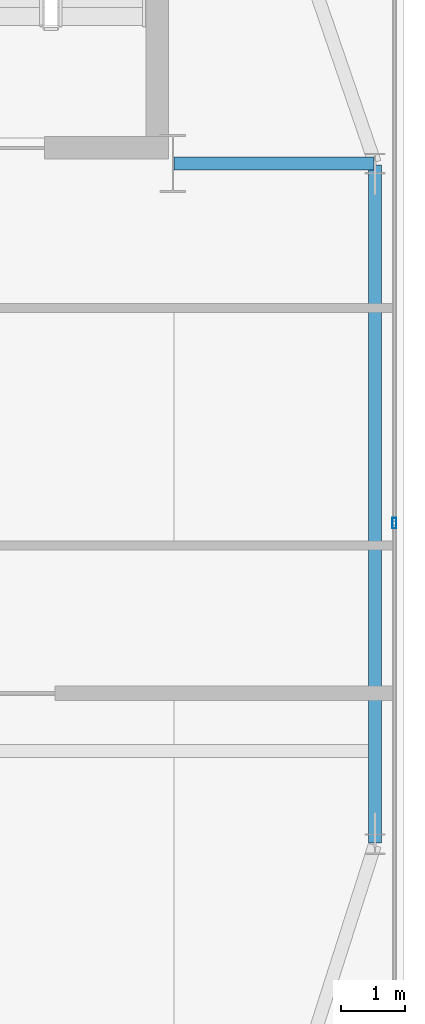
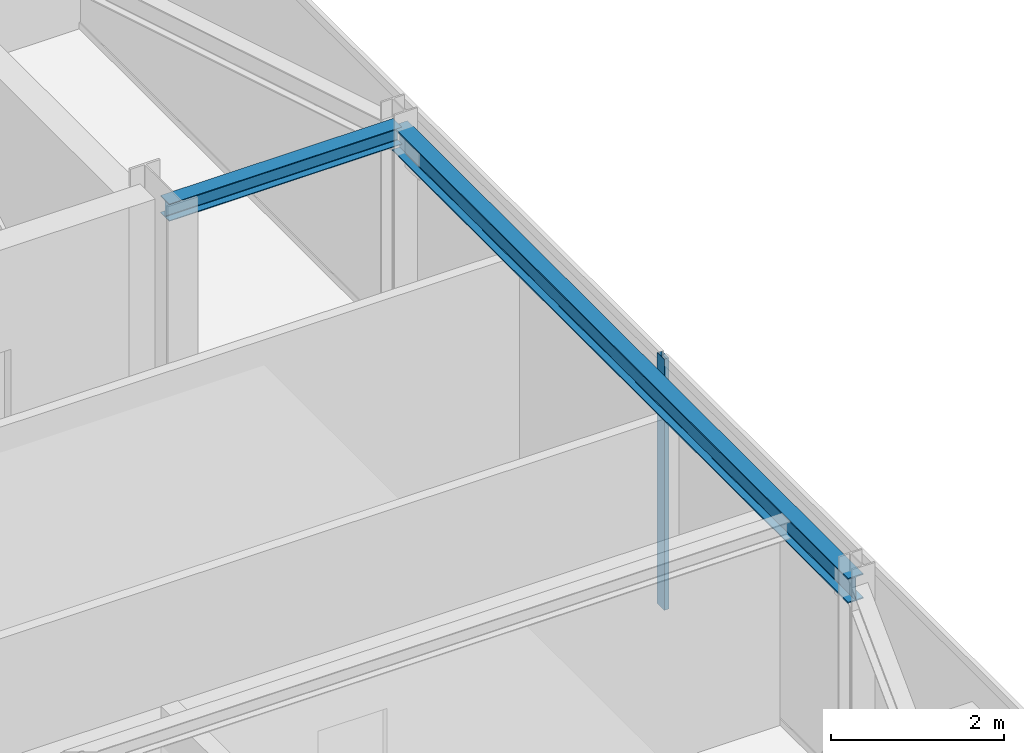
# One storey, part 16 of 24: 2 beams, 1 member, 1 element without a shape of its own.
"""IFC4 building model written with IfcOpenShell, lengths in metres."""

import ifcopenshell
import ifcopenshell.guid

model = None  # the IFC model being written
_history = None  # IfcOwnerHistory: only IFC2X3 demands one
_inside = {}  # id of a spatial element -> (the spatial element, [elements in it])
_under = {}  # id of a project, library or spatial element -> (it, [spatial elements below it])
_declared = {}  # id of a project -> (the project, [libraries it declares])
_typed = {}  # id of a type object -> (the type object, [elements of that type])
_made_of = {}  # id of a material, layer set ... -> (it, [elements and type objects made of it])


def new_model(schema):
    """Start an empty IFC model of exactly this schema.

    Asked for "IFC4X3", IfcOpenShell would pick the latest addendum, in which some entities
    have other attributes; the version numbers below select the first issue.
    IFC2X3 requires an IfcOwnerHistory on every rooted entity: one is made here for all.
    """
    global model, _history
    if schema == "IFC4X3":
        model = ifcopenshell.file(schema_version=(4, 3, 0, 0))
    else:
        model = ifcopenshell.file(schema=schema)
    _inside.clear()
    _under.clear()
    _declared.clear()
    _typed.clear()
    _made_of.clear()
    _history = None
    if model.schema == "IFC2X3":
        org = make("IfcOrganization", Name="unknown")
        user = make(
            "IfcPersonAndOrganization",
            ThePerson=make("IfcPerson", FamilyName="unknown"),
            TheOrganization=org,
        )
        app = make(
            "IfcApplication",
            ApplicationDeveloper=org,
            Version="unknown",
            ApplicationFullName="unknown",
            ApplicationIdentifier="unknown",
        )
        _history = make(
            "IfcOwnerHistory",
            OwningUser=user,
            OwningApplication=app,
            ChangeAction="ADDED",
            CreationDate=0,
        )
    return model


def make(cls, **values):
    """One entity of the class cls with the attributes given. An attribute that is None is left unset."""
    return model.create_entity(
        cls, **{name: value for name, value in values.items() if value is not None}
    )


def rooted(cls, **values):
    """An entity with a GlobalId (a new one), such as an element, a storey or a relation."""
    return make(cls, GlobalId=ifcopenshell.guid.new(), OwnerHistory=_history, **values)


def si_unit(unit_type, name, prefix=None):
    """IfcSIUnit, for example si_unit("LENGTHUNIT", "METRE", prefix="MILLI")."""
    return make("IfcSIUnit", UnitType=unit_type, Prefix=prefix, Name=name)


def assignment(units):
    """IfcUnitAssignment: the units of a project."""
    return None if units is None else make("IfcUnitAssignment", Units=units)


def point(xyz):
    """IfcCartesianPoint."""
    return None if xyz is None else make("IfcCartesianPoint", Coordinates=xyz)


def direction(xyz):
    """IfcDirection."""
    return None if xyz is None else make("IfcDirection", DirectionRatios=xyz)


def frame(location, z_axis=None, x_axis=None):
    """IfcAxis2Placement3D, a coordinate frame: its origin and axes. An axis left out is left unset."""
    return make(
        "IfcAxis2Placement3D",
        Location=point(location),
        Axis=direction(z_axis),
        RefDirection=direction(x_axis),
    )


def frame_2d(location, x_axis=None):
    """IfcAxis2Placement2D, a coordinate frame in the plane: its origin and x axis."""
    return make(
        "IfcAxis2Placement2D", Location=point(location), RefDirection=direction(x_axis)
    )


def origin():
    """The frame at (0, 0, 0) with its axes left unset."""
    return frame((0.0, 0.0, 0.0))


def origin_2d():
    """The frame at (0, 0) in the plane with its x axis left unset."""
    return frame_2d((0.0, 0.0))


def place(relative_to, where):
    """IfcLocalPlacement: puts the frame where relative to a parent placement (None: the world)."""
    return make(
        "IfcLocalPlacement", PlacementRelTo=relative_to, RelativePlacement=where
    )


def context(
    kind, dimensions, precision=None, world=None, true_north=None, identifier=None
):
    """IfcGeometricRepresentationContext, for example the 3D "Model" context."""
    return make(
        "IfcGeometricRepresentationContext",
        ContextIdentifier=identifier,
        ContextType=kind,
        CoordinateSpaceDimension=dimensions,
        Precision=precision,
        WorldCoordinateSystem=world,
        TrueNorth=true_north,
    )


def subcontext(parent, identifier, kind, view, scale=None):
    """IfcGeometricRepresentationSubContext, for example "Body" below "Model"."""
    return make(
        "IfcGeometricRepresentationSubContext",
        ContextIdentifier=identifier,
        ContextType=kind,
        ParentContext=parent,
        TargetScale=scale,
        TargetView=view,
    )


def project(units=None, contexts=None):
    """IfcProject with its units and contexts."""
    return rooted(
        "IfcProject",
        Name="project",
        RepresentationContexts=contexts,
        UnitsInContext=assignment(units),
    )


def spatial(cls, under=None, at=None, **own):
    """A site, building, storey or space (cls), placed at a placement, below another one or the project."""
    s = rooted(cls, ObjectPlacement=at, **own)
    if under is not None:
        _under.setdefault(under.id(), (under, []))[1].append(s)
    return s


def profile(cls, at=None, kind="AREA", **sizes):
    """A parametric profile (cls). Its sizes go by their IFC names, for example OverallWidth=200.0."""
    return make(cls, ProfileType=kind, Position=at, **sizes)


def hollow_rectangle(**sizes):
    """IfcRectangleHollowProfileDef."""
    return profile("IfcRectangleHollowProfileDef", **sizes)


def i_section(**sizes):
    """IfcIShapeProfileDef."""
    return profile("IfcIShapeProfileDef", **sizes)


def extrude(swept, where, along, depth):
    """IfcExtrudedAreaSolid: the profile swept, set in the frame where, extruded along a direction by depth."""
    return make(
        "IfcExtrudedAreaSolid",
        SweptArea=swept,
        Position=where,
        ExtrudedDirection=direction(along),
        Depth=depth,
    )


def shape(context_of_items, identifier, shape_type, items):
    """IfcShapeRepresentation: the items that make up one representation, for example the "Body"."""
    return make(
        "IfcShapeRepresentation",
        ContextOfItems=context_of_items,
        RepresentationIdentifier=identifier,
        RepresentationType=shape_type,
        Items=items,
    )


def source(mapping_origin, context_of_items, identifier, shape_type, items):
    """IfcRepresentationMap: a shape defined once, which mapped items show again and again."""
    return make(
        "IfcRepresentationMap",
        MappingOrigin=mapping_origin,
        MappedRepresentation=shape(context_of_items, identifier, shape_type, items),
    )


def transform(
    local_origin,
    x_axis=None,
    y_axis=None,
    z_axis=None,
    scale=None,
    scale2=None,
    scale3=None,
    uniform=True,
):
    """IfcCartesianTransformationOperator3D, or its non-uniform kind. x_axis, y_axis, z_axis: its Axis1, 2, 3."""
    if uniform:
        return make(
            "IfcCartesianTransformationOperator3D",
            Axis1=direction(x_axis),
            Axis2=direction(y_axis),
            LocalOrigin=point(local_origin),
            Scale=scale,
            Axis3=direction(z_axis),
        )
    return make(
        "IfcCartesianTransformationOperator3DnonUniform",
        Axis1=direction(x_axis),
        Axis2=direction(y_axis),
        LocalOrigin=point(local_origin),
        Scale=scale,
        Axis3=direction(z_axis),
        Scale2=scale2,
        Scale3=scale3,
    )


def mapped(mapping_source, mapping_target):
    """IfcMappedItem: shows the shape of a source again, moved by a transform."""
    return make(
        "IfcMappedItem", MappingSource=mapping_source, MappingTarget=mapping_target
    )


def material(Name=None, Category=None):
    """IfcMaterial."""
    return make("IfcMaterial", Name=Name, Category=Category)


def layer(
    of_material, thickness, ventilated=None, Name=None, Category=None, Priority=None
):
    """IfcMaterialLayer: one layer of a wall or slab, of a material (None: an air gap)."""
    return make(
        "IfcMaterialLayer",
        Material=of_material,
        LayerThickness=thickness,
        IsVentilated=ventilated,
        Name=Name,
        Category=Category,
        Priority=Priority,
    )


def layer_set(layers, Name=None):
    """IfcMaterialLayerSet."""
    return make("IfcMaterialLayerSet", MaterialLayers=layers, LayerSetName=Name)


def material_profile(
    of_material, cross_section, Name=None, Category=None, Priority=None
):
    """IfcMaterialProfile: a cross section and its material."""
    return make(
        "IfcMaterialProfile",
        Name=Name,
        Material=of_material,
        Profile=cross_section,
        Priority=Priority,
        Category=Category,
    )


def profile_set(profiles, Name=None, composite=None):
    """IfcMaterialProfileSet."""
    return make(
        "IfcMaterialProfileSet",
        Name=Name,
        MaterialProfiles=profiles,
        CompositeProfile=composite,
    )


def made_of(thing, what):
    """Note that an element or type object is made of a material, layer set ...; save() writes the relation."""
    if what is not None:
        _made_of.setdefault(what.id(), (what, []))[1].append(thing)
    return thing


def type_object(cls, material=None, **own):
    """A type object (cls), such as IfcWallType, which elements share."""
    return made_of(rooted(cls, **own), material)


def type_shapes(of_type, sources):
    """Give a type object the sources (RepresentationMaps) that its elements show as mapped items."""
    of_type.RepresentationMaps = sources


def element(
    cls,
    number,
    at=None,
    inside=None,
    cuts=None,
    type_object=None,
    material=None,
    context=None,
    identifier="Body",
    shape_type=None,
    held_by="IfcProductDefinitionShape",
    body=None,
    shapes=None,
    **own,
):
    """One element of the class cls, such as IfcWall. Its Tag is "e" and its number.

    at: its placement. inside: the storey or other place that contains it. cuts: it is an
    opening in that element (IfcRelVoidsElement). A single representation is given by context,
    identifier, shape_type and body (its items); several are given by shapes. held_by: the class
    of the entity that holds the representations. save() writes the other relations.
    """
    e = rooted(cls, Tag="e%d" % number, ObjectPlacement=at, **own)
    if body is not None:
        shapes = [shape(context, identifier, shape_type, body)]
    if shapes is not None:
        e.Representation = make(held_by, Representations=shapes)
    if inside is not None:
        _inside.setdefault(inside.id(), (inside, []))[1].append(e)
    if cuts is not None:
        rooted(
            "IfcRelVoidsElement", RelatingBuildingElement=cuts, RelatedOpeningElement=e
        )
    if type_object is not None:
        _typed.setdefault(type_object.id(), (type_object, []))[1].append(e)
    return made_of(e, material)


def aggregate(whole, parts):
    """IfcRelAggregates: a whole, such as a stair, and the parts it consists of."""
    return rooted("IfcRelAggregates", RelatingObject=whole, RelatedObjects=parts)


def save(model, path):
    """Write the relations noted so far, then the file.

    IfcRelAggregates (storeys below a building ...), IfcRelContainedInSpatialStructure (elements
    in a storey), IfcRelDefinesByType, IfcRelAssociatesMaterial and IfcRelDeclares: one each for
    every whole, place, type object, material and project.
    """
    for whole, parts in _under.values():
        aggregate(whole, parts)
    for where, things in _inside.values():
        rooted(
            "IfcRelContainedInSpatialStructure",
            RelatedElements=things,
            RelatingStructure=where,
        )
    for kind, things in _typed.values():
        rooted("IfcRelDefinesByType", RelatedObjects=things, RelatingType=kind)
    for what, things in _made_of.values():
        rooted("IfcRelAssociatesMaterial", RelatedObjects=things, RelatingMaterial=what)
    for by, libraries in _declared.values():
        rooted("IfcRelDeclares", RelatingContext=by, RelatedDefinitions=libraries)
    model.write(path)


model = new_model("IFC4")

# Units and contexts
model_context = context("Model", 3, precision=1e-05, world=origin(), true_north=direction((0.0, 1.0)))
body_context = subcontext(model_context, "Body", "Model", "MODEL_VIEW")
ifc_project = project(units=[si_unit("LENGTHUNIT", "METRE"), si_unit("AREAUNIT", "SQUARE_METRE"), si_unit("VOLUMEUNIT", "CUBIC_METRE"), si_unit("PLANEANGLEUNIT", "RADIAN"), si_unit("MASSUNIT", "GRAM", prefix="KILO")], contexts=[model_context])

# Site, building, storey
site_placement = place(None, origin())
site = spatial("IfcSite", under=ifc_project, at=site_placement, CompositionType="ELEMENT")
building_placement = place(site_placement, origin())
building = spatial("IfcBuilding", under=site, at=building_placement, Name="Varnel Quay Broadcast Tower", CompositionType="ELEMENT")
storey_placement = place(building_placement, frame((0.0, 0.0, 285.0)))
storey = spatial("IfcBuildingStorey", under=building, at=storey_placement, Name="L71", CompositionType="ELEMENT", Elevation=285.0)

# Beams
ifc_material_1 = material(Name="Structural Steel CSA G40.21 350W", Category="steel")
ifc_material_profile_1 = material_profile(ifc_material_1, i_section(OverallWidth=0.205078125, OverallDepth=0.35400390625, WebThickness=0.009521484375, FlangeThickness=0.016845703125, FilletRadius=0.012939453125, at=origin_2d()), Name="W360X79")
ifc_profile_set_1 = profile_set([ifc_material_profile_1], Name="Structural Steel CSA G40.21 350W")
beam_type_1 = type_object("IfcBeamType", Name="Beam_W360X79", PredefinedType="SPANDREL", material=ifc_profile_set_1)
shared_shape_1 = source(origin(), body_context, "Body", "SweptSolid", [
    extrude(i_section(OverallWidth=0.205078125, OverallDepth=0.35400390625, WebThickness=0.009521484375, FlangeThickness=0.016845703125, FilletRadius=0.012939453125, at=origin_2d()), origin(), (0.0, 0.0, 1.0), 10.56005859375),
])
type_shapes(beam_type_1, [shared_shape_1])
beam_1_placement = place(storey_placement, frame((55.550048828125, 25.02001953125, 3.373046875), z_axis=(0.0, 1.0, 0.0), x_axis=(-1.0, 0.0, 0.0)))
element("IfcBeam", 1, at=beam_1_placement, inside=storey, type_object=beam_type_1, Name="L71 East Spandrel TC-E1-TC-E2", PredefinedType="SPANDREL", context=body_context, shape_type="MappedRepresentation", body=[
    mapped(shared_shape_1, transform((0.0, 0.0, 0.0), x_axis=(1.0, 0.0, 0.0), y_axis=(0.0, 1.0, 0.0), z_axis=(0.0, 0.0, 1.0), scale=1.0)),
])
ifc_material_profile_2 = material_profile(ifc_material_1, i_section(OverallWidth=0.201904296875, OverallDepth=0.2470703125, WebThickness=0.00732421875, FlangeThickness=0.010986328125, FilletRadius=0.010986328125, at=origin_2d()), Name="W250X49")
ifc_profile_set_2 = profile_set([ifc_material_profile_2], Name="Structural Steel CSA G40.21 350W")
beam_type_2 = type_object("IfcBeamType", Name="Beam_W250X49", PredefinedType="JOIST", material=ifc_profile_set_2)
shared_shape_2 = source(origin(), body_context, "Body", "SweptSolid", [
    extrude(i_section(OverallWidth=0.201904296875, OverallDepth=0.2470703125, WebThickness=0.00732421875, FlangeThickness=0.010986328125, FilletRadius=0.010986328125, at=origin_2d()), origin(), (0.0, 0.0, 1.0), 3.110107421875),
])
type_shapes(beam_type_2, [shared_shape_2])
beam_2_placement = place(storey_placement, frame((52.419921875, 35.60009765625, 3.426513671875), z_axis=(1.0, 0.0, 0.0), x_axis=(0.0, 1.0, 0.0)))
element("IfcBeam", 2, at=beam_2_placement, inside=storey, type_object=beam_type_2, Name="L71 East Core Tie Joist", PredefinedType="JOIST", context=body_context, shape_type="MappedRepresentation", body=[
    mapped(shared_shape_2, transform((0.0, 0.0, 0.0), x_axis=(1.0, 0.0, 0.0), y_axis=(0.0, 1.0, 0.0), z_axis=(0.0, 0.0, 1.0), scale=1.0)),
])

# Curtain wall, member
ifc_material_2 = material(Name="Anodised Bronze Aluminium 6063-T6", Category="aluminium")
ifc_layer = layer(ifc_material_2, 0.18994140625, Name="Anodised Bronze Aluminium 6063-T6")
ifc_layer_set = layer_set([ifc_layer], Name="Anodised Bronze Aluminium 6063-T6")
curtain_wall_type = type_object("IfcCurtainWallType", Name="CW_UpperTower", PredefinedType="NOTDEFINED", material=ifc_layer_set)
curtain_wall_placement = place(storey_placement, origin())
curtain_wall = element("IfcCurtainWall", 3, at=curtain_wall_placement, inside=storey, type_object=curtain_wall_type, Name="L71 East Unitised Curtain Wall", PredefinedType="NOTDEFINED")
ifc_material_profile_3 = material_profile(ifc_material_2, hollow_rectangle(XDim=0.06494140625, YDim=0.1650390625, WallThickness=0.00341796875, at=origin_2d()), Name="ALU65X165X3.5")
ifc_profile_set_3 = profile_set([ifc_material_profile_3], Name="Anodised Bronze Aluminium 6063-T6")
member_type = type_object("IfcMemberType", Name="Mull_CWS-03", PredefinedType="MULLION", material=ifc_profile_set_3)
shared_shape_3 = source(origin(), body_context, "Body", "SweptSolid", [
    extrude(hollow_rectangle(XDim=0.06494140625, YDim=0.1650390625, WallThickness=0.00341796875, at=origin_2d()), origin(), (0.0, 0.0, 1.0), 3.550048828125),
])
type_shapes(member_type, [shared_shape_3])
member_placement = place(storey_placement, frame((55.85009765625, 30.0, 0.0), z_axis=(0.0, 0.0, 1.0), x_axis=(-1.0, 0.0, 0.0)))
member = element("IfcMember", 4, at=member_placement, type_object=member_type, Name="CWS-03 mullion 2", PredefinedType="MULLION", context=body_context, shape_type="MappedRepresentation", body=[
    mapped(shared_shape_3, transform((0.0, 0.0, 0.0), x_axis=(1.0, 0.0, 0.0), y_axis=(0.0, 1.0, 0.0), z_axis=(0.0, 0.0, 1.0), scale=1.0)),
])
aggregate(curtain_wall, [member])

save(model, "model.ifc")
